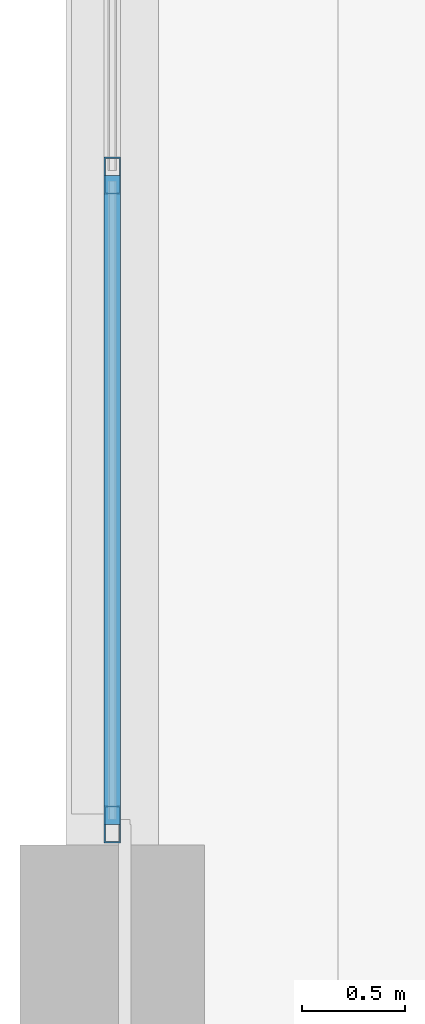
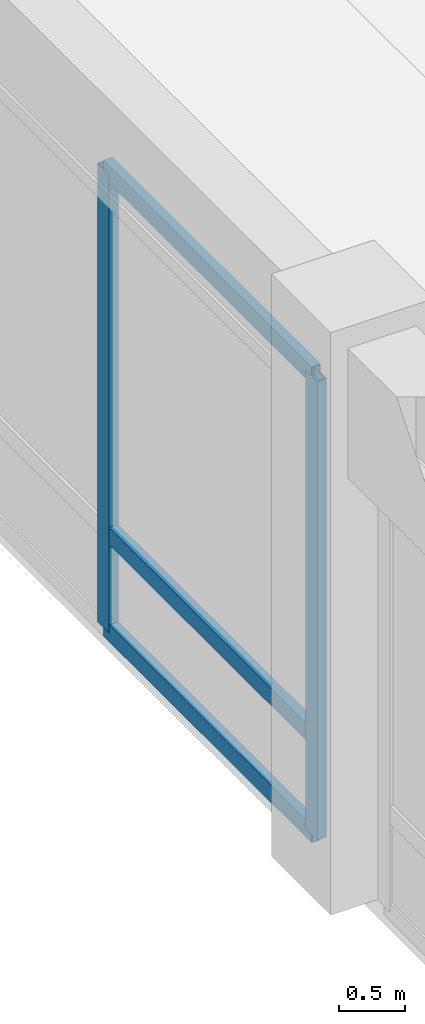
# One storey, part 46 of 117: 5 members, 1 element without a shape of its own.
"""IFC4 building model written with IfcOpenShell, lengths in metres."""

from ifc_helpers import new_model, si_unit, direction, frame, origin, origin_2d, place, context, subcontext, project, spatial, hollow_rectangle, extrude, material, material_profile, profile_set, type_object, element, aggregate, save


model = new_model("IFC4")

# Units and contexts
model_context = context("Model", 3, precision=1e-05, world=origin(), true_north=direction((0.0, 1.0)))
body_context = subcontext(model_context, "Body", "Model", "MODEL_VIEW")
ifc_project = project(units=[si_unit("LENGTHUNIT", "METRE"), si_unit("AREAUNIT", "SQUARE_METRE"), si_unit("VOLUMEUNIT", "CUBIC_METRE"), si_unit("PLANEANGLEUNIT", "RADIAN"), si_unit("MASSUNIT", "GRAM", prefix="KILO")], contexts=[model_context])

# Site, building, storey
site_placement = place(None, origin())
site = spatial("IfcSite", under=ifc_project, at=site_placement, CompositionType="ELEMENT")
building_placement = place(site_placement, origin())
building = spatial("IfcBuilding", under=site, at=building_placement, Name="Linyun Crest Stadium", CompositionType="ELEMENT")
storey_placement = place(building_placement, frame((0.0, 0.0, 6.0)))
storey = spatial("IfcBuildingStorey", under=building, at=storey_placement, Name="L02", CompositionType="ELEMENT", Elevation=6.0)

# Curtain wall, members
ifc_material_1 = material(Name="Verdigris steel and low-E curtain wall assembly", Category="steel")
curtain_wall_type = type_object("IfcCurtainWallType", Name="MCW01", PredefinedType="NOTDEFINED", material=ifc_material_1)
curtain_wall_placement = place(storey_placement, origin())
curtain_wall = element("IfcCurtainWall", 1, at=curtain_wall_placement, inside=storey, type_object=curtain_wall_type, Name="CWR-118", PredefinedType="NOTDEFINED")
ifc_material_2 = material(Name="Verdigris painted steel Q355B mullion", Category="steel")
ifc_material_profile_1 = material_profile(ifc_material_2, hollow_rectangle(XDim=0.080078125, YDim=0.179931640625, WallThickness=0.006103515625, at=origin_2d()), Name="RHS 180x80x6")
ifc_profile_set_1 = profile_set([ifc_material_profile_1], Name="Verdigris painted steel Q355B mullion")
member_type_1 = type_object("IfcMemberType", Name="ML02", PredefinedType="MULLION", material=ifc_profile_set_1)
member_1_placement = place(storey_placement, frame((-98.0, 30.175048828125, 0.0), z_axis=(0.0, 0.0, 1.0), x_axis=(-1.0, 0.0, 0.0)))
member_1 = element("IfcMember", 2, at=member_1_placement, type_object=member_type_1, Name="CWR-118 mullion 1", PredefinedType="MULLION", context=body_context, shape_type="SweptSolid", body=[
    extrude(hollow_rectangle(XDim=0.080078125, YDim=0.179931640625, WallThickness=0.006103515625, at=origin_2d()), origin(), (0.0, 0.0, 1.0), 4.25),
])
member_2_placement = place(storey_placement, frame((-98.0, 33.337890625, 0.0), z_axis=(0.0, 0.0, 1.0), x_axis=(-1.0, 0.0, 0.0)))
member_2 = element("IfcMember", 3, at=member_2_placement, type_object=member_type_1, Name="CWR-118 mullion 2", PredefinedType="MULLION", context=body_context, shape_type="SweptSolid", body=[
    extrude(hollow_rectangle(XDim=0.080078125, YDim=0.179931640625, WallThickness=0.006103515625, at=origin_2d()), origin(), (0.0, 0.0, 1.0), 4.25),
])
ifc_material_3 = material(Name="Aluminium thermally broken transom", Category="aluminium")
ifc_material_profile_2 = material_profile(ifc_material_3, hollow_rectangle(XDim=0.080078125, YDim=0.159912109375, WallThickness=0.006103515625, at=origin_2d()), Name="RHS 160x80x6")
ifc_profile_set_2 = profile_set([ifc_material_profile_2], Name="Aluminium thermally broken transom")
member_type_2 = type_object("IfcMemberType", Name="TR01", PredefinedType="USERDEFINED", material=ifc_profile_set_2)
member_3_placement = place(storey_placement, frame((-98.0, 30.175048828125, 0.0), z_axis=(0.0, 1.0, 0.0), x_axis=(-1.0, 0.0, 0.0)))
member_3 = element("IfcMember", 4, at=member_3_placement, type_object=member_type_2, Name="CWR-118 transom 1.1", ObjectType="TRANSOM", PredefinedType="USERDEFINED", context=body_context, shape_type="SweptSolid", body=[
    extrude(hollow_rectangle(XDim=0.080078125, YDim=0.159912109375, WallThickness=0.006103515625, at=origin_2d()), origin(), (0.0, 0.0, 1.0), 3.162841796875),
])
member_4_placement = place(storey_placement, frame((-98.0, 30.175048828125, 0.89990234375), z_axis=(0.0, 1.0, 0.0), x_axis=(-1.0, 0.0, 0.0)))
member_4 = element("IfcMember", 5, at=member_4_placement, type_object=member_type_2, Name="CWR-118 transom 1.2", ObjectType="TRANSOM", PredefinedType="USERDEFINED", context=body_context, shape_type="SweptSolid", body=[
    extrude(hollow_rectangle(XDim=0.080078125, YDim=0.159912109375, WallThickness=0.006103515625, at=origin_2d()), origin(), (0.0, 0.0, 1.0), 3.162841796875),
])
member_5_placement = place(storey_placement, frame((-98.0, 30.175048828125, 4.25), z_axis=(0.0, 1.0, 0.0), x_axis=(-1.0, 0.0, 0.0)))
member_5 = element("IfcMember", 6, at=member_5_placement, type_object=member_type_2, Name="CWR-118 transom 1.3", ObjectType="TRANSOM", PredefinedType="USERDEFINED", context=body_context, shape_type="SweptSolid", body=[
    extrude(hollow_rectangle(XDim=0.080078125, YDim=0.159912109375, WallThickness=0.006103515625, at=origin_2d()), origin(), (0.0, 0.0, 1.0), 3.162841796875),
])
aggregate(curtain_wall, [member_1, member_2, member_3, member_4, member_5])

save(model, "model.ifc")
